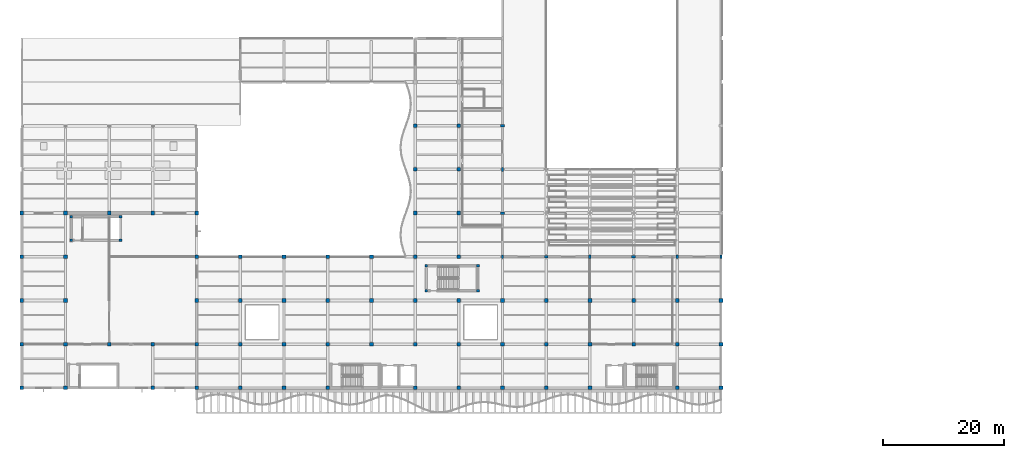
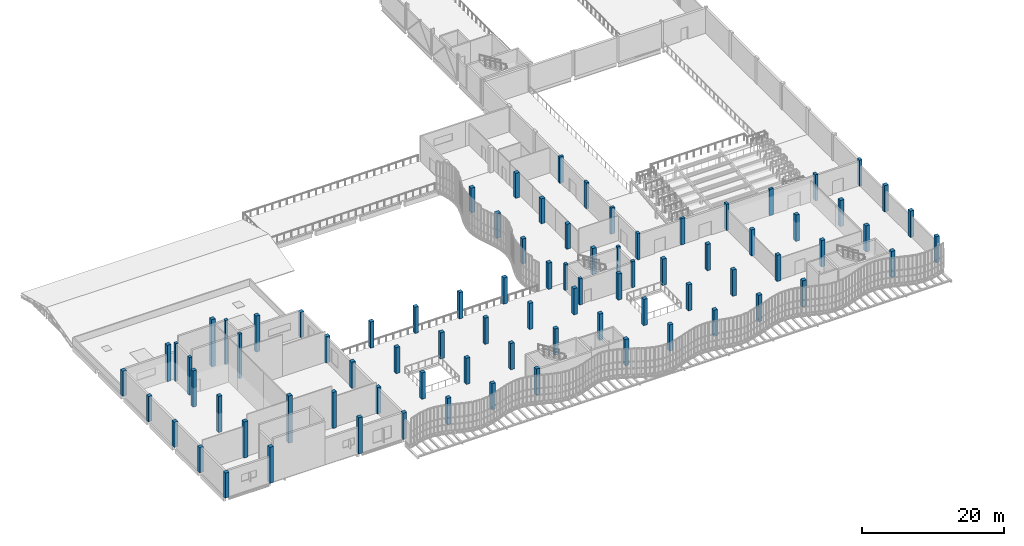
# One storey, part 1 of 105: 83 columns.
"""IFC4 building model written with IfcOpenShell, lengths in metres."""

from ifc_helpers import new_model, si_unit, direction, frame, origin, origin_2d, place, context, subcontext, project, spatial, rectangle, extrude, material, material_profile, profile_set, type_object, element, save


model = new_model("IFC4")

# Units and contexts
model_context = context("Model", 3, precision=1e-05, world=origin(), true_north=direction((0.0, 1.0)))
body_context = subcontext(model_context, "Body", "Model", "MODEL_VIEW")
ifc_project = project(units=[si_unit("LENGTHUNIT", "METRE"), si_unit("AREAUNIT", "SQUARE_METRE"), si_unit("VOLUMEUNIT", "CUBIC_METRE"), si_unit("PLANEANGLEUNIT", "RADIAN"), si_unit("MASSUNIT", "GRAM", prefix="KILO"), si_unit("THERMODYNAMICTEMPERATUREUNIT", "KELVIN"), si_unit("POWERUNIT", "WATT")], contexts=[model_context])

# Site, building, storey
site_placement = place(None, origin())
site = spatial("IfcSite", under=ifc_project, at=site_placement, CompositionType="ELEMENT")
building_placement = place(site_placement, origin())
building = spatial("IfcBuilding", under=site, at=building_placement, Name="Kaldorven Railside Theatre", CompositionType="ELEMENT")
storey_placement = place(building_placement, frame((0.0, 0.0, 9.89990234375)))
storey = spatial("IfcBuildingStorey", under=building, at=storey_placement, Name="L02", CompositionType="ELEMENT", Elevation=9.89990234375)

# Columns
ifc_material_1 = material(Name="Architectural concrete C40/50", Category="concrete")
ifc_material_profile_1 = material_profile(ifc_material_1, rectangle(XDim=0.39990234375, YDim=0.64990234375, at=origin_2d()), Name="RC 400x650")
ifc_profile_set_1 = profile_set([ifc_material_profile_1], Name="Architectural concrete C40/50")
column_type_1 = type_object("IfcColumnType", Name="COL-PIER650", PredefinedType="PILASTER", material=ifc_profile_set_1)
for number, where, z_axis, x_axis, name in (
    (1, (87.199951171875, 40.800048828125, 0.0), (0.0, 0.0, 1.0), (1.0, 0.0, 0.0), "L02 Column CG-L02-087-040"),
    (2, (94.39990234375, 40.800048828125, 0.0), (0.0, 0.0, 1.0), (0.0, 1.0, 0.0), "L02 Column CG-L02-094-040"),
    (3, (101.60009765625, 40.800048828125, 0.0), (0.0, 0.0, 1.0), (1.0, 0.0, 0.0), "L02 Column CG-L02-101-040"),
    (4, (108.800048828125, 40.800048828125, 0.0), (0.0, 0.0, 1.0), (0.0, 1.0, 0.0), "L02 Column CG-L02-108-040"),
    (5, (116.0, 40.800048828125, 0.0), (0.0, 0.0, 1.0), (1.0, 0.0, 0.0), "L02 Column CG-L02-116-040"),
    (6, (123.199951171875, 40.800048828125, 0.0), (0.0, 0.0, 1.0), (1.0, 0.0, 0.0), "L02 Column CG-L02-123-040"),
    (7, (87.199951171875, 48.0, 0.0), (0.0, 0.0, 1.0), (0.0, 1.0, 0.0), "L02 Column CG-L02-087-048"),
    (8, (87.199951171875, 55.199951171875, 0.0), (0.0, 0.0, 1.0), (1.0, 0.0, 0.0), "L02 Column CG-L02-087-055"),
    (9, (87.199951171875, 62.39990234375, 0.0), (0.0, 0.0, 1.0), (0.0, 1.0, 0.0), "L02 Column CG-L02-087-062"),
):
    element("IfcColumn", number, at=place(storey_placement, frame(where, z_axis=z_axis, x_axis=x_axis)), inside=storey, type_object=column_type_1, Name=name, PredefinedType="PILASTER", context=body_context, shape_type="SweptSolid", body=[
        extrude(rectangle(XDim=0.39990234375, YDim=0.64990234375, at=origin_2d()), origin(), (0.0, 0.0, 1.0), 4.5),
    ])
ifc_material_2 = material(Name="Concrete C40/50", Category="concrete")
ifc_material_profile_2 = material_profile(ifc_material_2, rectangle(XDim=0.449951171875, YDim=0.449951171875, at=origin_2d()), Name="RC 450x450")
ifc_profile_set_2 = profile_set([ifc_material_profile_2], Name="Concrete C40/50")
column_type_2 = type_object("IfcColumnType", Name="COL-RC450", PredefinedType="COLUMN", material=ifc_profile_set_2)
column_1_placement = place(storey_placement, frame((16.14990234375, 43.5, 0.0), z_axis=(0.0, 0.0, 1.0), x_axis=(1.0, 0.0, 0.0)))
element("IfcColumn", 10, at=column_1_placement, inside=storey, type_object=column_type_2, Name="Core ST-02 L02 Boundary Column CCR-007", PredefinedType="COLUMN", context=body_context, shape_type="SweptSolid", body=[
    extrude(rectangle(XDim=0.449951171875, YDim=0.449951171875, at=origin_2d()), origin(), (0.0, 0.0, 1.0), 6.463623046875),
])
for number, where, z_axis, x_axis, name in (
    (11, (24.25, 43.5, 0.0), (0.0, 0.0, 1.0), (1.0, 0.0, 0.0), "Core ST-02 L02 Boundary Column CCR-010"),
    (12, (24.25, 47.39990234375, 0.0), (0.0, 0.0, 1.0), (1.0, 0.0, 0.0), "Core ST-02 L02 Boundary Column CCR-013"),
):
    element("IfcColumn", number, at=place(storey_placement, frame(where, z_axis=z_axis, x_axis=x_axis)), inside=storey, type_object=column_type_2, Name=name, PredefinedType="COLUMN", context=body_context, shape_type="SweptSolid", body=[
        extrude(rectangle(XDim=0.449951171875, YDim=0.449951171875, at=origin_2d()), origin(), (0.0, 0.0, 1.0), 7.624755859375),
    ])
column_2_placement = place(storey_placement, frame((16.14990234375, 47.39990234375, 0.0), z_axis=(0.0, 0.0, 1.0), x_axis=(1.0, 0.0, 0.0)))
element("IfcColumn", 13, at=column_2_placement, inside=storey, type_object=column_type_2, Name="Core ST-02 L02 Boundary Column CCR-016", PredefinedType="COLUMN", context=body_context, shape_type="SweptSolid", body=[
    extrude(rectangle(XDim=0.449951171875, YDim=0.449951171875, at=origin_2d()), origin(), (0.0, 0.0, 1.0), 6.463623046875),
])
for number, where, z_axis, x_axis, name in (
    (14, (74.64990234375, 35.199951171875, 0.0), (0.0, 0.0, 1.0), (1.0, 0.0, 0.0), "Core ST-07 L02 Boundary Column CCR-023"),
    (15, (83.14990234375, 35.199951171875, 0.0), (0.0, 0.0, 1.0), (1.0, 0.0, 0.0), "Core ST-07 L02 Boundary Column CCR-027"),
    (16, (83.14990234375, 39.300048828125, 0.0), (0.0, 0.0, 1.0), (1.0, 0.0, 0.0), "Core ST-07 L02 Boundary Column CCR-031"),
    (17, (74.64990234375, 39.300048828125, 0.0), (0.0, 0.0, 1.0), (1.0, 0.0, 0.0), "Core ST-07 L02 Boundary Column CCR-035"),
):
    element("IfcColumn", number, at=place(storey_placement, frame(where, z_axis=z_axis, x_axis=x_axis)), inside=storey, type_object=column_type_2, Name=name, PredefinedType="COLUMN", context=body_context, shape_type="SweptSolid", body=[
        extrude(rectangle(XDim=0.449951171875, YDim=0.449951171875, at=origin_2d()), origin(), (0.0, 0.0, 1.0), 4.5),
    ])
ifc_material_profile_3 = material_profile(ifc_material_2, rectangle(XDim=0.60009765625, YDim=0.60009765625, at=origin_2d()), Name="RC 600x600")
ifc_profile_set_3 = profile_set([ifc_material_profile_3], Name="Concrete C40/50")
column_type_3 = type_object("IfcColumnType", Name="COL-RC600", PredefinedType="COLUMN", material=ifc_profile_set_3)
column_3_placement = place(storey_placement, frame((8.0, 19.199951171875, 0.0), z_axis=(0.0, 0.0, 1.0), x_axis=(0.0, 1.0, 0.0)))
element("IfcColumn", 18, at=column_3_placement, inside=storey, type_object=column_type_3, Name="L02 Column CG-L02-008-019", PredefinedType="COLUMN", context=body_context, shape_type="SweptSolid", body=[
    extrude(rectangle(XDim=0.60009765625, YDim=0.60009765625, at=origin_2d()), origin(), (0.0, 0.0, 1.0), 4.31298828125),
])
for number, where, z_axis, x_axis, name in (
    (19, (15.199951171875, 19.199951171875, 0.0), (0.0, 0.0, 1.0), (1.0, 0.0, 0.0), "L02 Column CG-L02-015-019"),
    (20, (29.60009765625, 19.199951171875, 0.0), (0.0, 0.0, 1.0), (1.0, 0.0, 0.0), "L02 Column CG-L02-029-019"),
):
    element("IfcColumn", number, at=place(storey_placement, frame(where, z_axis=z_axis, x_axis=x_axis)), inside=storey, type_object=column_type_3, Name=name, PredefinedType="COLUMN", context=body_context, shape_type="SweptSolid", body=[
        extrude(rectangle(XDim=0.60009765625, YDim=0.60009765625, at=origin_2d()), origin(), (0.0, 0.0, 1.0), 6.212890625),
    ])
for number, where, z_axis, x_axis, name in (
    (21, (36.800048828125, 19.199951171875, 0.0), (0.0, 0.0, 1.0), (1.0, 0.0, 0.0), "L02 Column CG-L02-036-019"),
    (22, (44.0, 19.199951171875, 0.0), (0.0, 0.0, 1.0), (0.0, 1.0, 0.0), "L02 Column CG-L02-044-019"),
    (23, (51.199951171875, 19.199951171875, 0.0), (0.0, 0.0, 1.0), (1.0, 0.0, 0.0), "L02 Column CG-L02-051-019"),
    (24, (58.39990234375, 19.199951171875, 0.0), (0.0, 0.0, 1.0), (0.0, 1.0, 0.0), "L02 Column CG-L02-058-019"),
    (25, (72.800048828125, 19.199951171875, 0.0), (0.0, 0.0, 1.0), (1.0, 0.0, 0.0), "L02 Column CG-L02-072-019"),
    (26, (80.0, 19.199951171875, 0.0), (0.0, 0.0, 1.0), (0.0, 1.0, 0.0), "L02 Column CG-L02-080-019"),
    (27, (87.199951171875, 19.199951171875, 0.0), (0.0, 0.0, 1.0), (1.0, 0.0, 0.0), "L02 Column CG-L02-087-019"),
    (28, (94.39990234375, 19.199951171875, 0.0), (0.0, 0.0, 1.0), (0.0, 1.0, 0.0), "L02 Column CG-L02-094-019"),
    (29, (101.60009765625, 19.199951171875, 0.0), (0.0, 0.0, 1.0), (1.0, 0.0, 0.0), "L02 Column CG-L02-101-019"),
    (30, (116.0, 19.199951171875, 0.0), (0.0, 0.0, 1.0), (0.0, 1.0, 0.0), "L02 Column CG-L02-116-019"),
    (31, (123.199951171875, 19.199951171875, 0.0), (0.0, 0.0, 1.0), (1.0, 0.0, 0.0), "L02 Column CG-L02-123-019"),
):
    element("IfcColumn", number, at=place(storey_placement, frame(where, z_axis=z_axis, x_axis=x_axis)), inside=storey, type_object=column_type_3, Name=name, PredefinedType="COLUMN", context=body_context, shape_type="SweptSolid", body=[
        extrude(rectangle(XDim=0.60009765625, YDim=0.60009765625, at=origin_2d()), origin(), (0.0, 0.0, 1.0), 4.5),
    ])
column_4_placement = place(storey_placement, frame((8.0, 26.39990234375, 0.0), z_axis=(0.0, 0.0, 1.0), x_axis=(1.0, 0.0, 0.0)))
element("IfcColumn", 32, at=column_4_placement, inside=storey, type_object=column_type_3, Name="L02 Column CG-L02-008-026", PredefinedType="COLUMN", context=body_context, shape_type="SweptSolid", body=[
    extrude(rectangle(XDim=0.60009765625, YDim=0.60009765625, at=origin_2d()), origin(), (0.0, 0.0, 1.0), 4.31298828125),
])
column_5_placement = place(storey_placement, frame((15.199951171875, 26.39990234375, 0.0), z_axis=(0.0, 0.0, 1.0), x_axis=(0.0, 1.0, 0.0)))
element("IfcColumn", 33, at=column_5_placement, inside=storey, type_object=column_type_3, Name="L02 Column CG-L02-015-026", PredefinedType="COLUMN", context=body_context, shape_type="SweptSolid", body=[
    extrude(rectangle(XDim=0.60009765625, YDim=0.60009765625, at=origin_2d()), origin(), (0.0, 0.0, 1.0), 6.212890625),
])
column_6_placement = place(storey_placement, frame((22.39990234375, 26.39990234375, 0.0), z_axis=(0.0, 0.0, 1.0), x_axis=(1.0, 0.0, 0.0)))
element("IfcColumn", 34, at=column_6_placement, inside=storey, type_object=column_type_3, Name="L02 Column CG-L02-022-026", PredefinedType="COLUMN", context=body_context, shape_type="SweptSolid", body=[
    extrude(rectangle(XDim=0.60009765625, YDim=0.60009765625, at=origin_2d()), origin(), (0.0, 0.0, 1.0), 8.113037109375),
])
column_7_placement = place(storey_placement, frame((29.60009765625, 26.39990234375, 0.0), z_axis=(0.0, 0.0, 1.0), x_axis=(1.0, 0.0, 0.0)))
element("IfcColumn", 35, at=column_7_placement, inside=storey, type_object=column_type_3, Name="L02 Column CG-L02-029-026", PredefinedType="COLUMN", context=body_context, shape_type="SweptSolid", body=[
    extrude(rectangle(XDim=0.60009765625, YDim=0.60009765625, at=origin_2d()), origin(), (0.0, 0.0, 1.0), 6.212890625),
])
for number, where, z_axis, x_axis, name in (
    (36, (36.800048828125, 26.39990234375, 0.0), (0.0, 0.0, 1.0), (0.0, 1.0, 0.0), "L02 Column CG-L02-036-026"),
    (37, (44.0, 26.39990234375, 0.0), (0.0, 0.0, 1.0), (1.0, 0.0, 0.0), "L02 Column CG-L02-044-026"),
    (38, (51.199951171875, 26.39990234375, 0.0), (0.0, 0.0, 1.0), (0.0, 1.0, 0.0), "L02 Column CG-L02-051-026"),
    (39, (58.39990234375, 26.39990234375, 0.0), (0.0, 0.0, 1.0), (1.0, 0.0, 0.0), "L02 Column CG-L02-058-026"),
    (40, (65.60009765625, 26.39990234375, 0.0), (0.0, 0.0, 1.0), (1.0, 0.0, 0.0), "L02 Column CG-L02-065-026"),
    (41, (72.800048828125, 26.39990234375, 0.0), (0.0, 0.0, 1.0), (0.0, 1.0, 0.0), "L02 Column CG-L02-072-026"),
    (42, (80.0, 26.39990234375, 0.0), (0.0, 0.0, 1.0), (1.0, 0.0, 0.0), "L02 Column CG-L02-080-026"),
    (43, (87.199951171875, 26.39990234375, 0.0), (0.0, 0.0, 1.0), (0.0, 1.0, 0.0), "L02 Column CG-L02-087-026"),
    (44, (94.39990234375, 26.39990234375, 0.0), (0.0, 0.0, 1.0), (1.0, 0.0, 0.0), "L02 Column CG-L02-094-026"),
    (45, (101.60009765625, 26.39990234375, 0.0), (0.0, 0.0, 1.0), (1.0, 0.0, 0.0), "L02 Column CG-L02-101-026"),
    (46, (108.800048828125, 26.39990234375, 0.0), (0.0, 0.0, 1.0), (0.0, 1.0, 0.0), "L02 Column CG-L02-108-026"),
    (47, (116.0, 26.39990234375, 0.0), (0.0, 0.0, 1.0), (1.0, 0.0, 0.0), "L02 Column CG-L02-116-026"),
    (48, (123.199951171875, 26.39990234375, 0.0), (0.0, 0.0, 1.0), (0.0, 1.0, 0.0), "L02 Column CG-L02-123-026"),
):
    element("IfcColumn", number, at=place(storey_placement, frame(where, z_axis=z_axis, x_axis=x_axis)), inside=storey, type_object=column_type_3, Name=name, PredefinedType="COLUMN", context=body_context, shape_type="SweptSolid", body=[
        extrude(rectangle(XDim=0.60009765625, YDim=0.60009765625, at=origin_2d()), origin(), (0.0, 0.0, 1.0), 4.5),
    ])
column_8_placement = place(storey_placement, frame((8.0, 33.60009765625, 0.0), z_axis=(0.0, 0.0, 1.0), x_axis=(0.0, 1.0, 0.0)))
element("IfcColumn", 49, at=column_8_placement, inside=storey, type_object=column_type_3, Name="L02 Column CG-L02-008-033", PredefinedType="COLUMN", context=body_context, shape_type="SweptSolid", body=[
    extrude(rectangle(XDim=0.60009765625, YDim=0.60009765625, at=origin_2d()), origin(), (0.0, 0.0, 1.0), 4.31298828125),
])
column_9_placement = place(storey_placement, frame((15.199951171875, 33.60009765625, 0.0), z_axis=(0.0, 0.0, 1.0), x_axis=(1.0, 0.0, 0.0)))
element("IfcColumn", 50, at=column_9_placement, inside=storey, type_object=column_type_3, Name="L02 Column CG-L02-015-033", PredefinedType="COLUMN", context=body_context, shape_type="SweptSolid", body=[
    extrude(rectangle(XDim=0.60009765625, YDim=0.60009765625, at=origin_2d()), origin(), (0.0, 0.0, 1.0), 6.212890625),
])
for number, where, z_axis, x_axis, name in (
    (51, (36.800048828125, 33.60009765625, 0.0), (0.0, 0.0, 1.0), (1.0, 0.0, 0.0), "L02 Column CG-L02-036-033"),
    (52, (44.0, 33.60009765625, 0.0), (0.0, 0.0, 1.0), (0.0, 1.0, 0.0), "L02 Column CG-L02-044-033"),
    (53, (51.199951171875, 33.60009765625, 0.0), (0.0, 0.0, 1.0), (1.0, 0.0, 0.0), "L02 Column CG-L02-051-033"),
    (54, (58.39990234375, 33.60009765625, 0.0), (0.0, 0.0, 1.0), (1.0, 0.0, 0.0), "L02 Column CG-L02-058-033"),
    (55, (65.60009765625, 33.60009765625, 0.0), (0.0, 0.0, 1.0), (0.0, 1.0, 0.0), "L02 Column CG-L02-065-033"),
    (56, (72.800048828125, 33.60009765625, 0.0), (0.0, 0.0, 1.0), (1.0, 0.0, 0.0), "L02 Column CG-L02-072-033"),
    (57, (80.0, 33.60009765625, 0.0), (0.0, 0.0, 1.0), (0.0, 1.0, 0.0), "L02 Column CG-L02-080-033"),
    (58, (87.199951171875, 33.60009765625, 0.0), (0.0, 0.0, 1.0), (1.0, 0.0, 0.0), "L02 Column CG-L02-087-033"),
    (59, (94.39990234375, 33.60009765625, 0.0), (0.0, 0.0, 1.0), (1.0, 0.0, 0.0), "L02 Column CG-L02-094-033"),
    (60, (101.60009765625, 33.60009765625, 0.0), (0.0, 0.0, 1.0), (0.0, 1.0, 0.0), "L02 Column CG-L02-101-033"),
    (61, (108.800048828125, 33.60009765625, 0.0), (0.0, 0.0, 1.0), (1.0, 0.0, 0.0), "L02 Column CG-L02-108-033"),
    (62, (116.0, 33.60009765625, 0.0), (0.0, 0.0, 1.0), (0.0, 1.0, 0.0), "L02 Column CG-L02-116-033"),
    (63, (123.199951171875, 33.60009765625, 0.0), (0.0, 0.0, 1.0), (1.0, 0.0, 0.0), "L02 Column CG-L02-123-033"),
):
    element("IfcColumn", number, at=place(storey_placement, frame(where, z_axis=z_axis, x_axis=x_axis)), inside=storey, type_object=column_type_3, Name=name, PredefinedType="COLUMN", context=body_context, shape_type="SweptSolid", body=[
        extrude(rectangle(XDim=0.60009765625, YDim=0.60009765625, at=origin_2d()), origin(), (0.0, 0.0, 1.0), 4.5),
    ])
column_10_placement = place(storey_placement, frame((8.0, 40.800048828125, 0.0), z_axis=(0.0, 0.0, 1.0), x_axis=(1.0, 0.0, 0.0)))
element("IfcColumn", 64, at=column_10_placement, inside=storey, type_object=column_type_3, Name="L02 Column CG-L02-008-040", PredefinedType="COLUMN", context=body_context, shape_type="SweptSolid", body=[
    extrude(rectangle(XDim=0.60009765625, YDim=0.60009765625, at=origin_2d()), origin(), (0.0, 0.0, 1.0), 4.31298828125),
])
column_11_placement = place(storey_placement, frame((15.199951171875, 40.800048828125, 0.0), z_axis=(0.0, 0.0, 1.0), x_axis=(1.0, 0.0, 0.0)))
element("IfcColumn", 65, at=column_11_placement, inside=storey, type_object=column_type_3, Name="L02 Column CG-L02-015-040", PredefinedType="COLUMN", context=body_context, shape_type="SweptSolid", body=[
    extrude(rectangle(XDim=0.60009765625, YDim=0.60009765625, at=origin_2d()), origin(), (0.0, 0.0, 1.0), 6.212890625),
])
for number, where, z_axis, x_axis, name in (
    (66, (36.800048828125, 40.800048828125, 0.0), (0.0, 0.0, 1.0), (0.0, 1.0, 0.0), "L02 Column CG-L02-036-040"),
    (67, (44.0, 40.800048828125, 0.0), (0.0, 0.0, 1.0), (1.0, 0.0, 0.0), "L02 Column CG-L02-044-040"),
    (68, (51.199951171875, 40.800048828125, 0.0), (0.0, 0.0, 1.0), (1.0, 0.0, 0.0), "L02 Column CG-L02-051-040"),
    (69, (58.39990234375, 40.800048828125, 0.0), (0.0, 0.0, 1.0), (0.0, 1.0, 0.0), "L02 Column CG-L02-058-040"),
    (70, (65.60009765625, 40.800048828125, 0.0), (0.0, 0.0, 1.0), (1.0, 0.0, 0.0), "L02 Column CG-L02-065-040"),
    (71, (72.800048828125, 40.800048828125, 0.0), (0.0, 0.0, 1.0), (0.0, 1.0, 0.0), "L02 Column CG-L02-072-040"),
    (72, (80.0, 40.800048828125, 0.0), (0.0, 0.0, 1.0), (1.0, 0.0, 0.0), "L02 Column CG-L02-080-040"),
):
    element("IfcColumn", number, at=place(storey_placement, frame(where, z_axis=z_axis, x_axis=x_axis)), inside=storey, type_object=column_type_3, Name=name, PredefinedType="COLUMN", context=body_context, shape_type="SweptSolid", body=[
        extrude(rectangle(XDim=0.60009765625, YDim=0.60009765625, at=origin_2d()), origin(), (0.0, 0.0, 1.0), 4.5),
    ])
column_12_placement = place(storey_placement, frame((8.0, 48.0, 0.0), z_axis=(0.0, 0.0, 1.0), x_axis=(1.0, 0.0, 0.0)))
element("IfcColumn", 73, at=column_12_placement, inside=storey, type_object=column_type_3, Name="L02 Column CG-L02-008-048", PredefinedType="COLUMN", context=body_context, shape_type="SweptSolid", body=[
    extrude(rectangle(XDim=0.60009765625, YDim=0.60009765625, at=origin_2d()), origin(), (0.0, 0.0, 1.0), 4.31298828125),
])
column_13_placement = place(storey_placement, frame((15.199951171875, 48.0, 0.0), z_axis=(0.0, 0.0, 1.0), x_axis=(0.0, 1.0, 0.0)))
element("IfcColumn", 74, at=column_13_placement, inside=storey, type_object=column_type_3, Name="L02 Column CG-L02-015-048", PredefinedType="COLUMN", context=body_context, shape_type="SweptSolid", body=[
    extrude(rectangle(XDim=0.60009765625, YDim=0.60009765625, at=origin_2d()), origin(), (0.0, 0.0, 1.0), 6.212890625),
])
column_14_placement = place(storey_placement, frame((22.39990234375, 48.0, 0.0), z_axis=(0.0, 0.0, 1.0), x_axis=(1.0, 0.0, 0.0)))
element("IfcColumn", 75, at=column_14_placement, inside=storey, type_object=column_type_3, Name="L02 Column CG-L02-022-048", PredefinedType="COLUMN", context=body_context, shape_type="SweptSolid", body=[
    extrude(rectangle(XDim=0.60009765625, YDim=0.60009765625, at=origin_2d()), origin(), (0.0, 0.0, 1.0), 8.113037109375),
])
column_15_placement = place(storey_placement, frame((29.60009765625, 48.0, 0.0), z_axis=(0.0, 0.0, 1.0), x_axis=(0.0, 1.0, 0.0)))
element("IfcColumn", 76, at=column_15_placement, inside=storey, type_object=column_type_3, Name="L02 Column CG-L02-029-048", PredefinedType="COLUMN", context=body_context, shape_type="SweptSolid", body=[
    extrude(rectangle(XDim=0.60009765625, YDim=0.60009765625, at=origin_2d()), origin(), (0.0, 0.0, 1.0), 6.212890625),
])
column_16_placement = place(storey_placement, frame((36.800048828125, 48.0, 0.0), z_axis=(0.0, 0.0, 1.0), x_axis=(1.0, 0.0, 0.0)))
element("IfcColumn", 77, at=column_16_placement, inside=storey, type_object=column_type_3, Name="L02 Column CG-L02-036-048", PredefinedType="COLUMN", context=body_context, shape_type="SweptSolid", body=[
    extrude(rectangle(XDim=0.60009765625, YDim=0.60009765625, at=origin_2d()), origin(), (0.0, 0.0, 1.0), 4.31298828125),
])
for number, where, z_axis, x_axis, name in (
    (78, (72.800048828125, 48.0, 0.0), (0.0, 0.0, 1.0), (1.0, 0.0, 0.0), "L02 Column CG-L02-072-048"),
    (79, (80.0, 48.0, 0.0), (0.0, 0.0, 1.0), (1.0, 0.0, 0.0), "L02 Column CG-L02-080-048"),
    (80, (72.800048828125, 55.199951171875, 0.0), (0.0, 0.0, 1.0), (1.0, 0.0, 0.0), "L02 Column CG-L02-072-055"),
    (81, (80.0, 55.199951171875, 0.0), (0.0, 0.0, 1.0), (0.0, 1.0, 0.0), "L02 Column CG-L02-080-055"),
    (82, (72.800048828125, 62.39990234375, 0.0), (0.0, 0.0, 1.0), (0.0, 1.0, 0.0), "L02 Column CG-L02-072-062"),
    (83, (80.0, 62.39990234375, 0.0), (0.0, 0.0, 1.0), (1.0, 0.0, 0.0), "L02 Column CG-L02-080-062"),
):
    element("IfcColumn", number, at=place(storey_placement, frame(where, z_axis=z_axis, x_axis=x_axis)), inside=storey, type_object=column_type_3, Name=name, PredefinedType="COLUMN", context=body_context, shape_type="SweptSolid", body=[
        extrude(rectangle(XDim=0.60009765625, YDim=0.60009765625, at=origin_2d()), origin(), (0.0, 0.0, 1.0), 4.280029296875),
    ])

save(model, "model.ifc")
